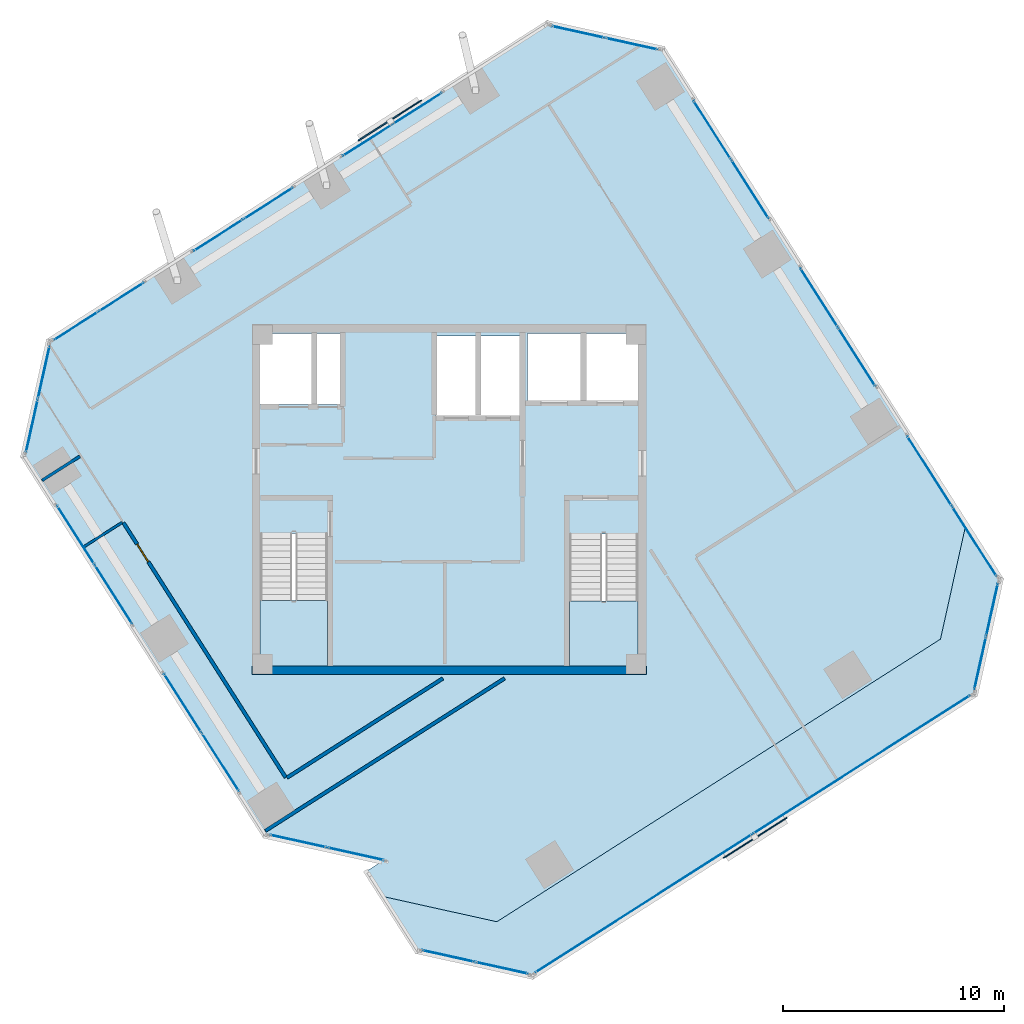
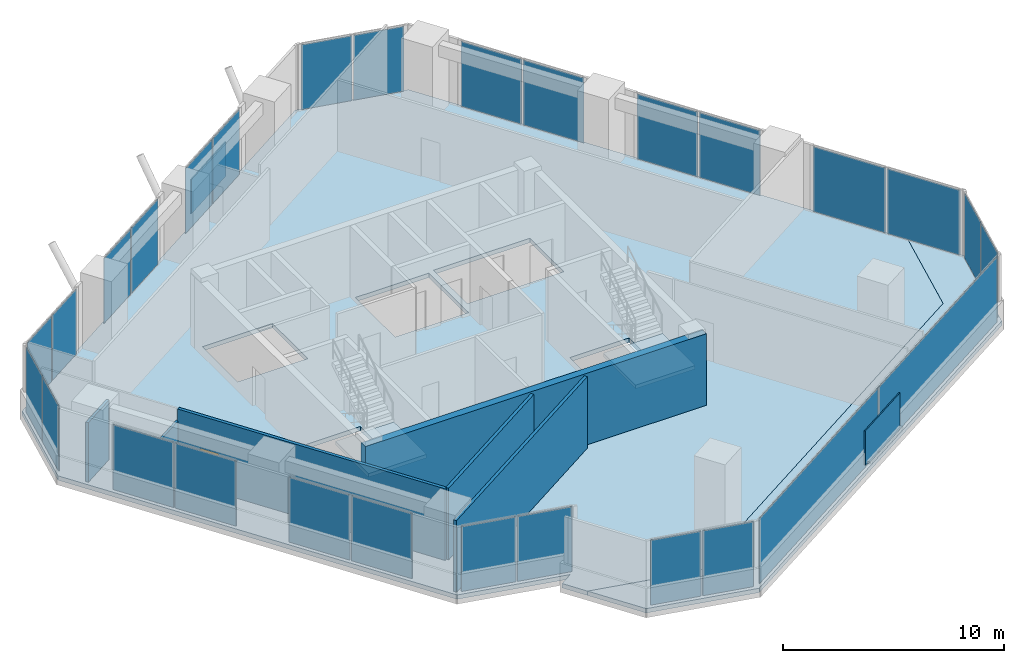
# One storey, part 9 of 14: 30 plates, 6 walls, 4 slabs, 1 door, 1 opening, 16 elements without a shape of their own.
"""IFC4 building model written with IfcOpenShell, lengths in metres."""

from ifc_helpers import new_model, si_unit, direction, frame, frame_2d, origin, origin_2d, place, context, subcontext, project, spatial, polyline, rectangle, outline, extrude, source, transform, mapped, material, layer, layer_set, type_object, element, fill, aggregate, save


model = new_model("IFC4")

# Units and contexts
model_context = context("Model", 3, precision=1e-05, world=origin(), true_north=direction((0.0, 1.0)))
body_context = subcontext(model_context, "Body", "Model", "MODEL_VIEW")
ifc_project = project(units=[si_unit("LENGTHUNIT", "METRE"), si_unit("AREAUNIT", "SQUARE_METRE"), si_unit("VOLUMEUNIT", "CUBIC_METRE"), si_unit("PLANEANGLEUNIT", "RADIAN"), si_unit("MASSUNIT", "GRAM", prefix="KILO")], contexts=[model_context])

# Site, building, storey
site_placement = place(None, origin())
site = spatial("IfcSite", under=ifc_project, at=site_placement, CompositionType="ELEMENT")
building_placement = place(site_placement, origin())
building = spatial("IfcBuilding", under=site, at=building_placement, Name="Torre Montelarca", CompositionType="ELEMENT")
storey_placement = place(building_placement, frame((0.0, 0.0, 315.60009765625)))
storey = spatial("IfcBuildingStorey", under=building, at=storey_placement, Name="L71", CompositionType="ELEMENT", Elevation=315.60009765625)

# Slabs
ifc_material_1 = material(Name="Concrete C40/50", Category="concrete")
ifc_layer_1 = layer(ifc_material_1, 0.239990234375, Name="Concrete C40/50", Category="concrete")
ifc_layer_set_1 = layer_set([ifc_layer_1], Name="Concrete C40/50")
slab_type_1 = type_object("IfcSlabType", Name="SL-FLR-240", PredefinedType="FLOOR", material=ifc_layer_set_1)
slab_1_placement = place(storey_placement, frame((0.0, 0.0, -0.239990234375)))
element("IfcSlab", 1, at=slab_1_placement, inside=storey, type_object=slab_type_1, Name="L71 Structural Floor Slab", PredefinedType="FLOOR", context=body_context, shape_type="SweptSolid", body=[
    extrude(outline(polyline([(9.642578125, 16.739013671875), (14.889404296875, 15.575927734375), (14.214599609375, 15.14599609375), (14.9130859375, 14.0498046875), (20.159912109375, 12.88671875), (40.232421875, 25.67431640625), (41.3955078125, 30.9208984375), (27.694580078125, 52.427490234375), (22.447998046875, 53.590576171875), (-0.155029296875, 39.19091796875), (-1.318115234375, 33.9443359375), (9.642578125, 16.739013671875)]), holes=[polyline([(26.550048828125, 24.449951171875), (23.43994140625, 24.449951171875), (23.43994140625, 30.429931640625), (26.550048828125, 30.429931640625), (26.550048828125, 24.449951171875)]), polyline([(12.5, 24.449951171875), (9.449951171875, 24.449951171875), (9.449951171875, 30.4599609375), (12.5, 30.4599609375), (12.5, 24.449951171875)]), polyline([(21.25, 39.39990234375), (21.25, 35.800048828125), (17.39990234375, 35.800048828125), (17.39990234375, 39.39990234375), (21.25, 39.39990234375)]), polyline([(13.1201171875, 36.300048828125), (9.449951171875, 36.300048828125), (9.449951171875, 39.5), (13.1201171875, 39.5), (13.1201171875, 36.300048828125)]), polyline([(26.60009765625, 36.449951171875), (21.550048828125, 36.449951171875), (21.550048828125, 39.5), (26.60009765625, 39.5), (26.60009765625, 36.449951171875)])]), origin(), (0.0, 0.0, 1.0), 0.239990234375),
])
slab_2_placement = place(storey_placement, frame((0.0, 0.0, -0.239990234375)))
element("IfcSlab", 2, at=slab_2_placement, inside=storey, type_object=slab_type_1, Name="L71 Sliding Tray Winter Garden Floor Slab E1", PredefinedType="FLOOR", context=body_context, shape_type="SweptSolid", body=[
    extrude(outline(polyline([(41.3955078125, 30.9208984375), (40.232421875, 25.67431640625), (20.159912109375, 12.88671875), (14.9130859375, 14.0498046875), (16.52490234375, 11.51953125), (21.771728515625, 10.3564453125), (41.844482421875, 23.14404296875), (43.007568359375, 28.390625), (41.3955078125, 30.9208984375)])), origin(), (0.0, 0.0, 1.0), 0.239990234375),
])

# Stair, slab
stair_type_1 = type_object("IfcStairType", Name="ST-CORE-ST1", PredefinedType="HALF_TURN_STAIR", material=ifc_material_1)
stair_1_placement = place(storey_placement, origin())
stair_1 = element("IfcStair", 3, at=stair_1_placement, inside=storey, type_object=stair_type_1, Name="L71 Protected Exit Stair ST1", PredefinedType="HALF_TURN_STAIR")
ifc_layer_2 = layer(ifc_material_1, 0.199951171875, Name="Concrete C40/50", Category="concrete")
ifc_layer_set_2 = layer_set([ifc_layer_2], Name="Concrete C40/50")
slab_type_2 = type_object("IfcSlabType", Name="SL-ST-LAND-ST1", PredefinedType="LANDING", material=ifc_layer_set_2)
slab_3_placement = place(storey_placement, frame((0.0, 0.0, 1.89990234375)))
slab_3 = element("IfcSlab", 4, at=slab_3_placement, type_object=slab_type_2, Name="ST1 landing 1", PredefinedType="LANDING", context=body_context, shape_type="SweptSolid", body=[
    extrude(outline(polyline([(9.449951171875, 27.419921875), (9.449951171875, 24.449951171875), (12.5, 24.449951171875), (12.5, 27.419921875), (9.449951171875, 27.419921875)])), origin(), (0.0, 0.0, 1.0), 0.199951171875),
])
aggregate(stair_1, [slab_3])

stair_type_2 = type_object("IfcStairType", Name="ST-CORE-ST2", PredefinedType="HALF_TURN_STAIR", material=ifc_material_1)
stair_2_placement = place(storey_placement, origin())
stair_2 = element("IfcStair", 5, at=stair_2_placement, inside=storey, type_object=stair_type_2, Name="L71 Protected Exit Stair ST2", PredefinedType="HALF_TURN_STAIR")
ifc_layer_3 = layer(ifc_material_1, 0.199951171875, Name="Concrete C40/50", Category="concrete")
ifc_layer_set_3 = layer_set([ifc_layer_3], Name="Concrete C40/50")
slab_type_3 = type_object("IfcSlabType", Name="SL-ST-LAND-ST2", PredefinedType="LANDING", material=ifc_layer_set_3)
slab_4_placement = place(storey_placement, frame((0.0, 0.0, 1.89990234375)))
slab_4 = element("IfcSlab", 6, at=slab_4_placement, type_object=slab_type_3, Name="ST2 landing 1", PredefinedType="LANDING", context=body_context, shape_type="SweptSolid", body=[
    extrude(outline(polyline([(23.43994140625, 27.389892578125), (23.43994140625, 24.449951171875), (26.550048828125, 24.449951171875), (26.550048828125, 27.389892578125), (23.43994140625, 27.389892578125)])), origin(), (0.0, 0.0, 1.0), 0.199951171875),
])
aggregate(stair_2, [slab_4])

# Plates
ifc_material_2 = material(Name="Architectural perforated terracotta ceramic", Category="masonry")
ifc_layer_4 = layer(ifc_material_2, 0.074951171875, Name="Architectural perforated terracotta ceramic", Category="masonry")
ifc_layer_set_4 = layer_set([ifc_layer_4], Name="Architectural perforated terracotta ceramic")
plate_type_1 = type_object("IfcPlateType", Name="SCR-CER-75", PredefinedType="USERDEFINED", material=ifc_layer_set_4)
shared_shape_1 = source(origin(), body_context, "Body", "SweptSolid", [
    extrude(rectangle(XDim=3.39990234375, YDim=0.06005859375, at=origin_2d()), origin(), (0.0, 0.0, 1.0), 1.89990234375),
])
for number, where, z_axis, x_axis, name in (
    (7, (31.85107421875, 16.682861328125, 0.5), (0.0, 0.0, 1.0), (0.843391445813, 0.537299608347, 0.0), "L71 Perforated Ceramic Brise-Soleil Screen E6-1"),
    (8, (15.3203125, 49.14453125, 0.5), (0.0, 0.0, 1.0), (-0.843392383576, -0.53729813635, 0.0), "L71 Perforated Ceramic Brise-Soleil Screen E10-1"),
):
    element("IfcPlate", number, at=place(storey_placement, frame(where, z_axis=z_axis, x_axis=x_axis)), inside=storey, type_object=plate_type_1, Name=name, ObjectType="SOLAR SCREEN", PredefinedType="USERDEFINED", context=body_context, shape_type="MappedRepresentation", body=[
        mapped(shared_shape_1, transform((0.0, 0.0, 0.0), scale=1.0)),
    ])

# Curtain wall, plates
ifc_material_3 = material(Name="Insulated low-E laminated glass", Category="glass")
curtain_wall_type = type_object("IfcCurtainWallType", Name="CW-SYS-Z4", PredefinedType="USERDEFINED", material=ifc_material_3)
curtain_wall_1_placement = place(storey_placement, origin())
curtain_wall_1 = element("IfcCurtainWall", 9, at=curtain_wall_1_placement, inside=storey, type_object=curtain_wall_type, Name="L71 Curtain Wall Run CW-T3-L71-E02-B1", ObjectType="UNITISED GLAZING", PredefinedType="USERDEFINED")
ifc_layer_5 = layer(ifc_material_3, 0.035888671875, Name="Insulated low-E laminated glass", Category="glass")
ifc_layer_set_5 = layer_set([ifc_layer_5], Name="Insulated low-E laminated glass")
plate_type_2 = type_object("IfcPlateType", Name="CWP-GLZ-36", PredefinedType="CURTAIN_PANEL", material=ifc_layer_set_5)
shared_shape_2 = source(origin(), body_context, "Body", "SweptSolid", [
    extrude(rectangle(XDim=2.592529296875, YDim=0.035888671875, at=origin_2d()), origin(), (0.0, 0.0, 1.0), 3.590087890625),
])
plate_1_placement = place(storey_placement, frame((11.17138671875, 16.533447265625, 0.06494140625), z_axis=(0.0, 0.0, 1.0), x_axis=(0.976293931856, -0.216448974638, 0.0)))
plate_1 = element("IfcPlate", 10, at=plate_1_placement, type_object=plate_type_2, Name="CW panel 1.1", PredefinedType="CURTAIN_PANEL", context=body_context, shape_type="MappedRepresentation", body=[
    mapped(shared_shape_2, transform((0.0, 0.0, 0.0), scale=1.0)),
])
plate_2_placement = place(storey_placement, frame((13.775634765625, 15.9560546875, 0.06494140625), z_axis=(0.0, 0.0, 1.0), x_axis=(0.976293931856, -0.216448974638, 0.0)))
plate_2 = element("IfcPlate", 11, at=plate_2_placement, type_object=plate_type_2, Name="CW panel 2.1", PredefinedType="CURTAIN_PANEL", context=body_context, shape_type="MappedRepresentation", body=[
    mapped(shared_shape_2, transform((0.0, 0.0, 0.0), scale=1.0)),
])
aggregate(curtain_wall_1, [plate_1, plate_2])

curtain_wall_2_placement = place(storey_placement, origin())
curtain_wall_2 = element("IfcCurtainWall", 12, at=curtain_wall_2_placement, inside=storey, type_object=curtain_wall_type, Name="L71 Curtain Wall Run CW-T3-L71-E05-B1", ObjectType="UNITISED GLAZING", PredefinedType="USERDEFINED")
shared_shape_3 = source(origin(), body_context, "Body", "SweptSolid", [
    extrude(rectangle(XDim=2.40869140625, YDim=0.035888671875, at=origin_2d()), origin(), (0.0, 0.0, 1.0), 3.590087890625),
])
plate_3_placement = place(storey_placement, frame((17.964111328125, 11.333740234375, 0.06494140625), z_axis=(0.0, 0.0, 1.0), x_axis=(0.976296125468, -0.216439080105, 0.0)))
plate_3 = element("IfcPlate", 13, at=plate_3_placement, type_object=plate_type_2, Name="CW panel 1.1", PredefinedType="CURTAIN_PANEL", context=body_context, shape_type="MappedRepresentation", body=[
    mapped(shared_shape_3, transform((0.0, 0.0, 0.0), scale=1.0)),
])
plate_4_placement = place(storey_placement, frame((20.388916015625, 10.796142578125, 0.06494140625), z_axis=(0.0, 0.0, 1.0), x_axis=(0.976296125468, -0.216439080105, 0.0)))
plate_4 = element("IfcPlate", 14, at=plate_4_placement, type_object=plate_type_2, Name="CW panel 2.1", PredefinedType="CURTAIN_PANEL", context=body_context, shape_type="MappedRepresentation", body=[
    mapped(shared_shape_3, transform((0.0, 0.0, 0.0), scale=1.0)),
])
aggregate(curtain_wall_2, [plate_3, plate_4])

curtain_wall_3_placement = place(storey_placement, origin())
curtain_wall_3 = element("IfcCurtainWall", 15, at=curtain_wall_3_placement, inside=storey, type_object=curtain_wall_type, Name="L71 Curtain Wall Run CW-T3-L71-E07-B1", ObjectType="UNITISED GLAZING", PredefinedType="USERDEFINED")
plate_5_placement = place(storey_placement, frame((42.0302734375, 24.583251953125, 0.06494140625), z_axis=(0.0, 0.0, 1.0), x_axis=(0.216443270716, 0.976295196425, 0.0)))
plate_5 = element("IfcPlate", 16, at=plate_5_placement, type_object=plate_type_2, Name="CW panel 1.1", PredefinedType="CURTAIN_PANEL", context=body_context, shape_type="MappedRepresentation", body=[
    mapped(shared_shape_3, transform((0.0, 0.0, 0.0), scale=1.0)),
])
plate_6_placement = place(storey_placement, frame((42.56787109375, 27.008056640625, 0.06494140625), z_axis=(0.0, 0.0, 1.0), x_axis=(0.216443270716, 0.976295196425, 0.0)))
plate_6 = element("IfcPlate", 17, at=plate_6_placement, type_object=plate_type_2, Name="CW panel 2.1", PredefinedType="CURTAIN_PANEL", context=body_context, shape_type="MappedRepresentation", body=[
    mapped(shared_shape_3, transform((0.0, 0.0, 0.0), scale=1.0)),
])
aggregate(curtain_wall_3, [plate_5, plate_6])

curtain_wall_4_placement = place(storey_placement, origin())
curtain_wall_4 = element("IfcCurtainWall", 18, at=curtain_wall_4_placement, inside=storey, type_object=curtain_wall_type, Name="L71 Curtain Wall Run CW-T3-L71-E09-B1", ObjectType="UNITISED GLAZING", PredefinedType="USERDEFINED")
plate_7_placement = place(storey_placement, frame((26.25537109375, 52.61328125, 0.06494140625), z_axis=(0.0, 0.0, 1.0), x_axis=(-0.976295196425, 0.216443270716, 0.0)))
plate_7 = element("IfcPlate", 19, at=plate_7_placement, type_object=plate_type_2, Name="CW panel 1.1", PredefinedType="CURTAIN_PANEL", context=body_context, shape_type="MappedRepresentation", body=[
    mapped(shared_shape_3, transform((0.0, 0.0, 0.0), scale=1.0)),
])
plate_8_placement = place(storey_placement, frame((23.83056640625, 53.15087890625, 0.06494140625), z_axis=(0.0, 0.0, 1.0), x_axis=(-0.976295196425, 0.216443270716, 0.0)))
plate_8 = element("IfcPlate", 20, at=plate_8_placement, type_object=plate_type_2, Name="CW panel 2.1", PredefinedType="CURTAIN_PANEL", context=body_context, shape_type="MappedRepresentation", body=[
    mapped(shared_shape_3, transform((0.0, 0.0, 0.0), scale=1.0)),
])
aggregate(curtain_wall_4, [plate_7, plate_8])

curtain_wall_5_placement = place(storey_placement, origin())
curtain_wall_5 = element("IfcCurtainWall", 21, at=curtain_wall_5_placement, inside=storey, type_object=curtain_wall_type, Name="L71 Curtain Wall Run CW-T3-L71-E11-B1", ObjectType="UNITISED GLAZING", PredefinedType="USERDEFINED")
plate_9_placement = place(storey_placement, frame((-0.3408203125, 37.751953125, 0.06494140625), z_axis=(0.0, 0.0, 1.0), x_axis=(-0.216462173228, -0.976291005572, 0.0)))
plate_9 = element("IfcPlate", 22, at=plate_9_placement, type_object=plate_type_2, Name="CW panel 1.1", PredefinedType="CURTAIN_PANEL", context=body_context, shape_type="MappedRepresentation", body=[
    mapped(shared_shape_3, transform((0.0, 0.0, 0.0), scale=1.0)),
])
plate_10_placement = place(storey_placement, frame((-0.87841796875, 35.3271484375, 0.06494140625), z_axis=(0.0, 0.0, 1.0), x_axis=(-0.216462173228, -0.976291005572, 0.0)))
plate_10 = element("IfcPlate", 23, at=plate_10_placement, type_object=plate_type_2, Name="CW panel 2.1", PredefinedType="CURTAIN_PANEL", context=body_context, shape_type="MappedRepresentation", body=[
    mapped(shared_shape_3, transform((0.0, 0.0, 0.0), scale=1.0)),
])
aggregate(curtain_wall_5, [plate_9, plate_10])

curtain_wall_6_placement = place(storey_placement, origin())
curtain_wall_6 = element("IfcCurtainWall", 24, at=curtain_wall_6_placement, inside=storey, type_object=curtain_wall_type, Name="L71 Curtain Wall Run CW-T3-L71-E01-B1", ObjectType="UNITISED GLAZING", PredefinedType="USERDEFINED")
shared_shape_4 = source(origin(), body_context, "Body", "SweptSolid", [
    extrude(rectangle(XDim=3.107421875, YDim=0.035888671875, at=origin_2d()), origin(), (0.0, 0.0, 1.0), 3.590087890625),
])
plate_11_placement = place(storey_placement, frame((1.1064453125, 30.380126953125, 0.06494140625), z_axis=(0.0, 0.0, 1.0), x_axis=(0.537301440244, -0.843390278763, 0.0)))
plate_11 = element("IfcPlate", 25, at=plate_11_placement, type_object=plate_type_2, Name="CW panel 1.1", PredefinedType="CURTAIN_PANEL", context=body_context, shape_type="MappedRepresentation", body=[
    mapped(shared_shape_4, transform((0.0, 0.0, 0.0), scale=1.0)),
])
plate_12_placement = place(storey_placement, frame((2.81640625, 27.696044921875, 0.06494140625), z_axis=(0.0, 0.0, 1.0), x_axis=(0.537301440244, -0.843390278763, 0.0)))
plate_12 = element("IfcPlate", 26, at=plate_12_placement, type_object=plate_type_2, Name="CW panel 2.1", PredefinedType="CURTAIN_PANEL", context=body_context, shape_type="MappedRepresentation", body=[
    mapped(shared_shape_4, transform((0.0, 0.0, 0.0), scale=1.0)),
])
aggregate(curtain_wall_6, [plate_11, plate_12])

curtain_wall_7_placement = place(storey_placement, origin())
curtain_wall_7 = element("IfcCurtainWall", 27, at=curtain_wall_7_placement, inside=storey, type_object=curtain_wall_type, Name="L71 Curtain Wall Run CW-T3-L71-E01-B2", ObjectType="UNITISED GLAZING", PredefinedType="USERDEFINED")
plate_13_placement = place(storey_placement, frame((5.942138671875, 22.78955078125, 0.06494140625), z_axis=(0.0, 0.0, 1.0), x_axis=(0.537301440244, -0.843390278763, 0.0)))
plate_13 = element("IfcPlate", 28, at=plate_13_placement, type_object=plate_type_2, Name="CW panel 1.1", PredefinedType="CURTAIN_PANEL", context=body_context, shape_type="MappedRepresentation", body=[
    mapped(shared_shape_4, transform((0.0, 0.0, 0.0), scale=1.0)),
])
plate_14_placement = place(storey_placement, frame((7.652099609375, 20.10546875, 0.06494140625), z_axis=(0.0, 0.0, 1.0), x_axis=(0.537301440244, -0.843390278763, 0.0)))
plate_14 = element("IfcPlate", 29, at=plate_14_placement, type_object=plate_type_2, Name="CW panel 2.1", PredefinedType="CURTAIN_PANEL", context=body_context, shape_type="MappedRepresentation", body=[
    mapped(shared_shape_4, transform((0.0, 0.0, 0.0), scale=1.0)),
])
aggregate(curtain_wall_7, [plate_13, plate_14])

curtain_wall_8_placement = place(storey_placement, origin())
curtain_wall_8 = element("IfcCurtainWall", 30, at=curtain_wall_8_placement, inside=storey, type_object=curtain_wall_type, Name="L71 Curtain Wall Run CW-T3-L71-E08-B2", ObjectType="UNITISED GLAZING", PredefinedType="USERDEFINED")
plate_15_placement = place(storey_placement, frame((36.445556640625, 38.448974609375, 0.06494140625), z_axis=(0.0, 0.0, 1.0), x_axis=(-0.537294403713, 0.843394761508, 0.0)))
plate_15 = element("IfcPlate", 31, at=plate_15_placement, type_object=plate_type_2, Name="CW panel 1.1", PredefinedType="CURTAIN_PANEL", context=body_context, shape_type="MappedRepresentation", body=[
    mapped(shared_shape_4, transform((0.0, 0.0, 0.0), scale=1.0)),
])
plate_16_placement = place(storey_placement, frame((34.735595703125, 41.133056640625, 0.06494140625), z_axis=(0.0, 0.0, 1.0), x_axis=(-0.537294403713, 0.843394761508, 0.0)))
plate_16 = element("IfcPlate", 32, at=plate_16_placement, type_object=plate_type_2, Name="CW panel 2.1", PredefinedType="CURTAIN_PANEL", context=body_context, shape_type="MappedRepresentation", body=[
    mapped(shared_shape_4, transform((0.0, 0.0, 0.0), scale=1.0)),
])
aggregate(curtain_wall_8, [plate_15, plate_16])

curtain_wall_9_placement = place(storey_placement, origin())
curtain_wall_9 = element("IfcCurtainWall", 33, at=curtain_wall_9_placement, inside=storey, type_object=curtain_wall_type, Name="L71 Curtain Wall Run CW-T3-L71-E08-B3", ObjectType="UNITISED GLAZING", PredefinedType="USERDEFINED")
plate_17_placement = place(storey_placement, frame((31.60986328125, 46.03955078125, 0.06494140625), z_axis=(0.0, 0.0, 1.0), x_axis=(-0.537301440244, 0.843390278763, 0.0)))
plate_17 = element("IfcPlate", 34, at=plate_17_placement, type_object=plate_type_2, Name="CW panel 1.1", PredefinedType="CURTAIN_PANEL", context=body_context, shape_type="MappedRepresentation", body=[
    mapped(shared_shape_4, transform((0.0, 0.0, 0.0), scale=1.0)),
])
plate_18_placement = place(storey_placement, frame((29.89990234375, 48.7236328125, 0.06494140625), z_axis=(0.0, 0.0, 1.0), x_axis=(-0.537301440244, 0.843390278763, 0.0)))
plate_18 = element("IfcPlate", 35, at=plate_18_placement, type_object=plate_type_2, Name="CW panel 2.1", PredefinedType="CURTAIN_PANEL", context=body_context, shape_type="MappedRepresentation", body=[
    mapped(shared_shape_4, transform((0.0, 0.0, 0.0), scale=1.0)),
])
aggregate(curtain_wall_9, [plate_17, plate_18])

curtain_wall_10_placement = place(storey_placement, origin())
curtain_wall_10 = element("IfcCurtainWall", 36, at=curtain_wall_10_placement, inside=storey, type_object=curtain_wall_type, Name="L71 Curtain Wall Run CW-T3-L71-E06-B1", ObjectType="UNITISED GLAZING", PredefinedType="USERDEFINED")
shared_shape_5 = source(origin(), body_context, "Body", "SweptSolid", [
    extrude(rectangle(XDim=11.62158203125, YDim=0.035888671875, at=origin_2d()), origin(), (0.0, 0.0, 1.0), 3.590087890625),
])
plate_19_placement = place(storey_placement, frame((26.8056640625, 13.717529296875, 0.06494140625), z_axis=(0.0, 0.0, 1.0), x_axis=(0.84339012646, 0.537301679311, 0.0)))
plate_19 = element("IfcPlate", 37, at=plate_19_placement, type_object=plate_type_2, Name="CW panel 1.1", PredefinedType="CURTAIN_PANEL", context=body_context, shape_type="MappedRepresentation", body=[
    mapped(shared_shape_5, transform((0.0, 0.0, 0.0), scale=1.0)),
])
plate_20_placement = place(storey_placement, frame((36.670654296875, 20.002197265625, 0.06494140625), z_axis=(0.0, 0.0, 1.0), x_axis=(0.84339012646, 0.537301679311, 0.0)))
plate_20 = element("IfcPlate", 38, at=plate_20_placement, type_object=plate_type_2, Name="CW panel 2.1", PredefinedType="CURTAIN_PANEL", context=body_context, shape_type="MappedRepresentation", body=[
    mapped(shared_shape_5, transform((0.0, 0.0, 0.0), scale=1.0)),
])
aggregate(curtain_wall_10, [plate_19, plate_20])

curtain_wall_11_placement = place(storey_placement, origin())
curtain_wall_11 = element("IfcCurtainWall", 39, at=curtain_wall_11_placement, inside=storey, type_object=curtain_wall_type, Name="L71 Curtain Wall Run CW-T3-L71-E08-B1", ObjectType="UNITISED GLAZING", PredefinedType="USERDEFINED")
shared_shape_6 = source(origin(), body_context, "Body", "SweptSolid", [
    extrude(rectangle(XDim=3.714599609375, YDim=0.035888671875, at=origin_2d()), origin(), (0.0, 0.0, 1.0), 3.590087890625),
])
plate_21_placement = place(storey_placement, frame((41.7705078125, 30.09033203125, 0.06494140625), z_axis=(0.0, 0.0, 1.0), x_axis=(-0.537298951454, 0.8433918643, 0.0)))
plate_21 = element("IfcPlate", 40, at=plate_21_placement, type_object=plate_type_2, Name="CW panel 1.1", PredefinedType="CURTAIN_PANEL", context=body_context, shape_type="MappedRepresentation", body=[
    mapped(shared_shape_6, transform((0.0, 0.0, 0.0), scale=1.0)),
])
plate_22_placement = place(storey_placement, frame((39.734375, 33.28662109375, 0.06494140625), z_axis=(0.0, 0.0, 1.0), x_axis=(-0.537298951454, 0.8433918643, 0.0)))
plate_22 = element("IfcPlate", 41, at=plate_22_placement, type_object=plate_type_2, Name="CW panel 2.1", PredefinedType="CURTAIN_PANEL", context=body_context, shape_type="MappedRepresentation", body=[
    mapped(shared_shape_6, transform((0.0, 0.0, 0.0), scale=1.0)),
])
aggregate(curtain_wall_11, [plate_21, plate_22])

curtain_wall_12_placement = place(storey_placement, origin())
curtain_wall_12 = element("IfcCurtainWall", 42, at=curtain_wall_12_placement, inside=storey, type_object=curtain_wall_type, Name="L71 Curtain Wall Run CW-T3-L71-E10-B1", ObjectType="UNITISED GLAZING", PredefinedType="USERDEFINED")
shared_shape_7 = source(origin(), body_context, "Body", "SweptSolid", [
    extrude(rectangle(XDim=2.607421875, YDim=0.035888671875, at=origin_2d()), origin(), (0.0, 0.0, 1.0), 3.590087890625),
])
plate_23_placement = place(storey_placement, frame((16.564453125, 49.688232421875, 0.06494140625), z_axis=(0.0, 0.0, 1.0), x_axis=(-0.84338964289, -0.537302438359, 0.0)))
plate_23 = element("IfcPlate", 43, at=plate_23_placement, type_object=plate_type_2, Name="CW panel 1.1", PredefinedType="CURTAIN_PANEL", context=body_context, shape_type="MappedRepresentation", body=[
    mapped(shared_shape_7, transform((0.0, 0.0, 0.0), scale=1.0)),
])
plate_24_placement = place(storey_placement, frame((14.302001953125, 48.246826171875, 0.06494140625), z_axis=(0.0, 0.0, 1.0), x_axis=(-0.84338964289, -0.537302438359, 0.0)))
plate_24 = element("IfcPlate", 44, at=plate_24_placement, type_object=plate_type_2, Name="CW panel 2.1", PredefinedType="CURTAIN_PANEL", context=body_context, shape_type="MappedRepresentation", body=[
    mapped(shared_shape_7, transform((0.0, 0.0, 0.0), scale=1.0)),
])
aggregate(curtain_wall_12, [plate_23, plate_24])

curtain_wall_13_placement = place(storey_placement, origin())
curtain_wall_13 = element("IfcCurtainWall", 45, at=curtain_wall_13_placement, inside=storey, type_object=curtain_wall_type, Name="L71 Curtain Wall Run CW-T3-L71-E10-B2", ObjectType="UNITISED GLAZING", PredefinedType="USERDEFINED")
plate_25_placement = place(storey_placement, frame((9.8173828125, 45.389892578125, 0.06494140625), z_axis=(0.0, 0.0, 1.0), x_axis=(-0.84338964289, -0.537302438359, 0.0)))
plate_25 = element("IfcPlate", 46, at=plate_25_placement, type_object=plate_type_2, Name="CW panel 1.1", PredefinedType="CURTAIN_PANEL", context=body_context, shape_type="MappedRepresentation", body=[
    mapped(shared_shape_7, transform((0.0, 0.0, 0.0), scale=1.0)),
])
plate_26_placement = place(storey_placement, frame((7.554931640625, 43.948486328125, 0.06494140625), z_axis=(0.0, 0.0, 1.0), x_axis=(-0.84338964289, -0.537302438359, 0.0)))
plate_26 = element("IfcPlate", 47, at=plate_26_placement, type_object=plate_type_2, Name="CW panel 2.1", PredefinedType="CURTAIN_PANEL", context=body_context, shape_type="MappedRepresentation", body=[
    mapped(shared_shape_7, transform((0.0, 0.0, 0.0), scale=1.0)),
])
aggregate(curtain_wall_13, [plate_25, plate_26])

curtain_wall_14_placement = place(storey_placement, origin())
curtain_wall_14 = element("IfcCurtainWall", 48, at=curtain_wall_14_placement, inside=storey, type_object=curtain_wall_type, Name="L71 Curtain Wall Run CW-T3-L71-E10-B3", ObjectType="UNITISED GLAZING", PredefinedType="USERDEFINED")
shared_shape_8 = source(origin(), body_context, "Body", "SweptSolid", [
    extrude(rectangle(XDim=2.364501953125, YDim=0.035888671875, at=origin_2d()), origin(), (0.0, 0.0, 1.0), 3.590087890625),
])
plate_27_placement = place(storey_placement, frame((3.172607421875, 41.15673828125, 0.06494140625), z_axis=(0.0, 0.0, 1.0), x_axis=(-0.843388763083, -0.537303819367, 0.0)))
plate_27 = element("IfcPlate", 49, at=plate_27_placement, type_object=plate_type_2, Name="CW panel 1.1", PredefinedType="CURTAIN_PANEL", context=body_context, shape_type="MappedRepresentation", body=[
    mapped(shared_shape_8, transform((0.0, 0.0, 0.0), scale=1.0)),
])
plate_28_placement = place(storey_placement, frame((1.114990234375, 39.845947265625, 0.06494140625), z_axis=(0.0, 0.0, 1.0), x_axis=(-0.843388763083, -0.537303819367, 0.0)))
plate_28 = element("IfcPlate", 50, at=plate_28_placement, type_object=plate_type_2, Name="CW panel 2.1", PredefinedType="CURTAIN_PANEL", context=body_context, shape_type="MappedRepresentation", body=[
    mapped(shared_shape_8, transform((0.0, 0.0, 0.0), scale=1.0)),
])
aggregate(curtain_wall_14, [plate_27, plate_28])

# Wall
ifc_layer_6 = layer(ifc_material_1, 0.3798828125, Name="Concrete C40/50", Category="concrete")
ifc_layer_set_6 = layer_set([ifc_layer_6], Name="Concrete C40/50")
wall_type_1 = type_object("IfcWallType", Name="CW-SHEAR-380", PredefinedType="SHEAR", material=ifc_layer_set_6)
wall_1_placement = place(storey_placement, frame((9.070068359375, 24.260009765625, 0.0), z_axis=(0.0, 0.0, 1.0), x_axis=(1.0, 0.0, 0.0)))
element("IfcWall", 51, at=wall_1_placement, inside=storey, type_object=wall_type_1, Name="L71 Core Shear Wall CW-S1", PredefinedType="SHEAR", context=body_context, shape_type="SweptSolid", body=[
    extrude(rectangle(XDim=17.85986328125, YDim=0.3798828125, at=frame_2d((8.929931640625, 0.0))), origin(), (0.0, 0.0, 1.0), 3.9599609375),
])

# Wall, opening, door
ifc_material_4 = material(Name="Gypsum plasterboard on steel stud", Category="steel")
ifc_layer_7 = layer(ifc_material_4, 0.159912109375, Name="Gypsum plasterboard on steel stud", Category="steel")
ifc_layer_set_7 = layer_set([ifc_layer_7], Name="Gypsum plasterboard on steel stud")
wall_type_2 = type_object("IfcWallType", Name="PW-FIRE-160", PredefinedType="PARTITIONING", material=ifc_layer_set_7)
wall_2_placement = place(storey_placement, frame((3.260498046875, 30.944580078125, 0.0), z_axis=(0.0, 0.0, 1.0), x_axis=(0.537307625317, -0.843386338386, 0.0)))
wall_2 = element("IfcWall", 52, at=wall_2_placement, inside=storey, type_object=wall_type_2, Name="L71 Interior Partition W-L71-SOCCN", PredefinedType="PARTITIONING", context=body_context, shape_type="SweptSolid", body=[
    extrude(rectangle(XDim=13.669921875, YDim=0.159912109375, at=frame_2d((6.8349609375, 0.0))), origin(), (0.0, 0.0, 1.0), 3.9599609375),
])
opening_placement = place(wall_2_placement, frame((1.14990234375, 0.0, 0.0)))
opening = element("IfcOpeningElement", 53, at=opening_placement, cuts=wall_2, Name="Opening FD-095", PredefinedType="OPENING", context=body_context, shape_type="SweptSolid", body=[
    extrude(rectangle(XDim=0.949951171875, YDim=2.14990234375, at=frame_2d((0.47509765625, 1.074951171875))), frame((0.0, 0.08984375, 0.0), z_axis=(0.0, -1.0, 0.0), x_axis=(1.0, 0.0, 0.0)), (0.0, 0.0, 1.0), 0.179931640625),
])
ifc_material_5 = material(Name="Timber fire-rated room door", Category="wood")
door_type = type_object("IfcDoorType", Name="DR-FIRE-095", OperationType="NOTDEFINED", PredefinedType="DOOR", material=ifc_material_5)
shared_shape_9 = source(origin(), body_context, "Body", "SweptSolid", [
    extrude(rectangle(XDim=0.949951171875, YDim=2.14990234375, at=frame_2d((0.47509765625, 1.074951171875))), frame((0.0, 0.02490234375, 0.0), z_axis=(0.0, -1.0, 0.0), x_axis=(1.0, 0.0, 0.0)), (0.0, 0.0, 1.0), 0.050048828125),
])
door_placement = place(opening_placement, origin())
door = element("IfcDoor", 54, at=door_placement, inside=storey, type_object=door_type, Name="L71 Interior Door 07", OperationType="SINGLE_SWING_RIGHT", OverallHeight=2.14990234375, OverallWidth=0.949951171875, PredefinedType="DOOR", context=body_context, shape_type="MappedRepresentation", body=[
    mapped(shared_shape_9, transform((0.0, 0.0, 0.0), scale=1.0)),
])
fill(opening, door)

# Walls
wall_3_placement = place(storey_placement, frame((10.66064453125, 19.4033203125, 0.0), z_axis=(0.0, 0.0, 1.0), x_axis=(0.843399441764, 0.537287057012, 0.0)))
element("IfcWall", 55, at=wall_3_placement, inside=storey, type_object=wall_type_2, Name="L71 Interior Partition W-L71-SOCCW3", PredefinedType="PARTITIONING", context=body_context, shape_type="SweptSolid", body=[
    extrude(rectangle(XDim=8.3662109375, YDim=0.159912109375, at=frame_2d((4.18310546875, 0.0))), origin(), (0.0, 0.0, 1.0), 3.9599609375),
])
wall_4_placement = place(storey_placement, frame((9.68701171875, 17.00439453125, 0.0), z_axis=(0.0, 0.0, 1.0), x_axis=(0.843392646996, 0.537297722862, 0.0)))
element("IfcWall", 56, at=wall_4_placement, inside=storey, type_object=wall_type_2, Name="L71 Interior Partition W-L71-ECS", PredefinedType="PARTITIONING", context=body_context, shape_type="SweptSolid", body=[
    extrude(rectangle(XDim=12.8310546875, YDim=0.159912109375, at=frame_2d((6.41552734375, 0.0))), origin(), (0.0, 0.0, 1.0), 3.9599609375),
])
ifc_layer_8 = layer(ifc_material_4, 0.114990234375, Name="Gypsum plasterboard on steel stud", Category="steel")
ifc_layer_set_8 = layer_set([ifc_layer_8], Name="Gypsum plasterboard on steel stud")
wall_type_3 = type_object("IfcWallType", Name="PW-PART-115", PredefinedType="PARTITIONING", material=ifc_layer_set_8)
wall_5_placement = place(storey_placement, frame((1.4931640625, 29.8662109375, 0.0), z_axis=(0.0, 0.0, 1.0), x_axis=(0.843433611632, 0.537233415537, 0.0)))
element("IfcWall", 57, at=wall_5_placement, inside=storey, type_object=wall_type_3, Name="L71 Interior Partition W-L71-SWCDIV", PredefinedType="PARTITIONING", context=body_context, shape_type="SweptSolid", body=[
    extrude(rectangle(XDim=2.030029296875, YDim=0.114990234375, at=frame_2d((1.01513671875, 0.0))), origin(), (0.0, 0.0, 1.0), 3.294921875),
])
ifc_layer_9 = layer(ifc_material_4, 0.135009765625, Name="Gypsum plasterboard on steel stud", Category="steel")
ifc_layer_set_9 = layer_set([ifc_layer_9], Name="Gypsum plasterboard on steel stud")
wall_type_4 = type_object("IfcWallType", Name="PW-PART-135", PredefinedType="PARTITIONING", material=ifc_layer_set_9)
wall_6_placement = place(storey_placement, frame((-0.414306640625, 32.8603515625, 0.0), z_axis=(0.0, 0.0, 1.0), x_axis=(0.843468317829, 0.5371789244, 0.0)))
element("IfcWall", 58, at=wall_6_placement, inside=storey, type_object=wall_type_4, Name="L71 Interior Partition W-L71-WCD", PredefinedType="PARTITIONING", context=body_context, shape_type="SweptSolid", body=[
    extrude(rectangle(XDim=2.0302734375, YDim=0.135009765625, at=frame_2d((1.01513671875, 0.0))), origin(), (0.0, 0.0, 1.0), 3.294921875),
])

save(model, "model.ifc")
